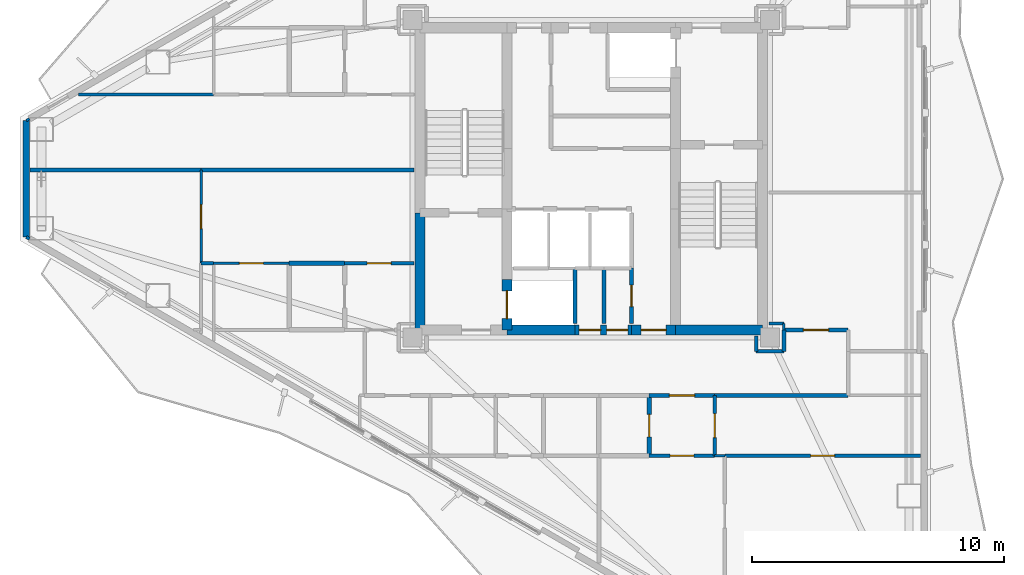
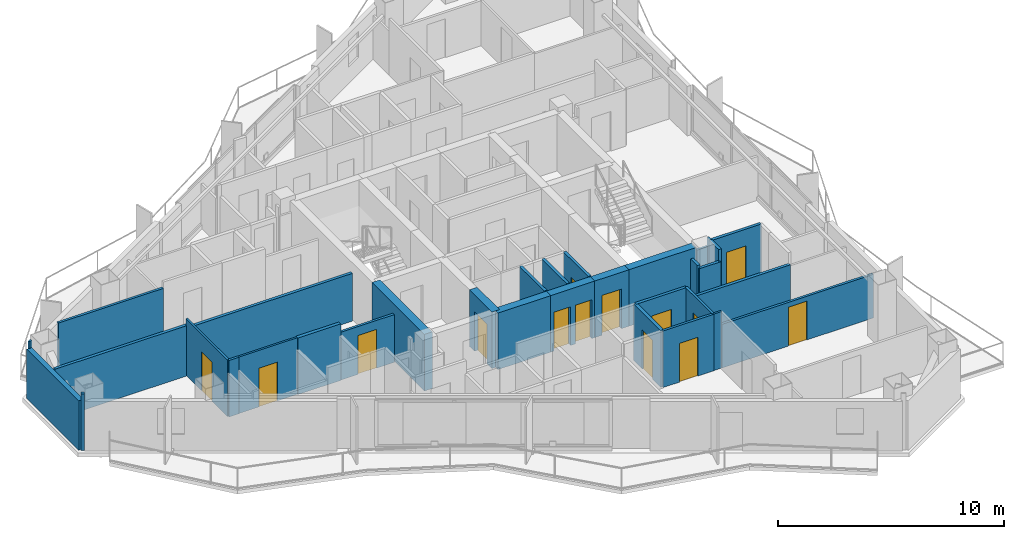
# One storey, part 13 of 19: 33 walls, 14 doors, 14 openings.
"""IFC4 building model written with IfcOpenShell, lengths in metres."""

from ifc_helpers import new_model, si_unit, direction, frame, frame_2d, origin, place, context, subcontext, project, spatial, rectangle, extrude, material, layer, layer_set, type_object, element, fill, save


model = new_model("IFC4")

# Units and contexts
model_context = context("Model", 3, precision=1e-05, world=origin(), true_north=direction((0.0, 1.0)))
body_context = subcontext(model_context, "Body", "Model", "MODEL_VIEW")
ifc_project = project(units=[si_unit("LENGTHUNIT", "METRE"), si_unit("AREAUNIT", "SQUARE_METRE"), si_unit("VOLUMEUNIT", "CUBIC_METRE"), si_unit("PLANEANGLEUNIT", "RADIAN"), si_unit("MASSUNIT", "GRAM", prefix="KILO")], contexts=[model_context])

# Site, building, storey
site_placement = place(None, origin())
site = spatial("IfcSite", under=ifc_project, at=site_placement, CompositionType="ELEMENT")
building_placement = place(site_placement, origin())
building = spatial("IfcBuilding", under=site, at=building_placement, Name="Mersakhor Tower and Convention Hall", CompositionType="ELEMENT")
storey_placement = place(building_placement, frame((0.0, 0.0, 141.0)))
storey = spatial("IfcBuildingStorey", under=building, at=storey_placement, Name="L39", CompositionType="ELEMENT", Elevation=141.0)

# Wall
ifc_material_1 = material(Name="Precast concrete C40/50", Category="concrete")
ifc_layer_1 = layer(ifc_material_1, 0.25)
ifc_layer_set_1 = layer_set([ifc_layer_1], Name="Precast concrete C40/50")
wall_type_1 = type_object("IfcWallType", Name="WL-EXT-250", PredefinedType="SOLIDWALL", material=ifc_layer_set_1)
wall_1_placement = place(storey_placement, frame((6.560302734375, 24.44140625, 0.0), z_axis=(0.0, 0.0, 1.0), x_axis=(0.0, 1.0, 0.0)))
element("IfcWall", 1, at=wall_1_placement, inside=storey, type_object=wall_type_1, Name="L39 Chamfer Braced Spandrel Wall C3", PredefinedType="SOLIDWALL", context=body_context, shape_type="SweptSolid", body=[
    extrude(rectangle(XDim=4.6171875, YDim=0.25, at=frame_2d((2.30859375, 0.0))), origin(), (0.0, 0.0, 1.0), 2.679931640625),
])

# Wall, opening, door
ifc_material_2 = material(Name="Moisture-resistant acoustic drywall studwork", Category="other")
ifc_layer_2 = layer(ifc_material_2, 0.175048828125)
ifc_layer_set_2 = layer_set([ifc_layer_2], Name="Moisture-resistant acoustic drywall studwork")
wall_type_2 = type_object("IfcWallType", Name="WL-PLM-175", PredefinedType="PLUMBINGWALL", material=ifc_layer_set_2)
wall_2_placement = place(storey_placement, frame((31.300048828125, 15.75, 0.0), z_axis=(0.0, 0.0, 1.0), x_axis=(0.0, 1.0, 0.0)))
wall_2 = element("IfcWall", 2, at=wall_2_placement, inside=storey, type_object=wall_type_2, Name="L39 Interior Partition Wall P-056", PredefinedType="PLUMBINGWALL", context=body_context, shape_type="SweptSolid", body=[
    extrude(rectangle(XDim=2.39990234375, YDim=0.175048828125, at=frame_2d((1.199951171875, 0.0))), origin(), (0.0, 0.0, 1.0), 3.06005859375),
])
opening_1_placement = place(wall_2_placement, frame((0.75, 0.0, 0.0)))
opening_1 = element("IfcOpeningElement", 3, at=opening_1_placement, cuts=wall_2, Name="Opening WD-01", PredefinedType="OPENING", context=body_context, shape_type="SweptSolid", body=[
    extrude(rectangle(XDim=0.89990234375, YDim=2.10009765625, at=frame_2d((0.449951171875, 1.050048828125))), frame((0.0, 0.097412109375, 0.0), z_axis=(0.0, -1.0, 0.0), x_axis=(1.0, 0.0, 0.0)), (0.0, 0.0, 1.0), 0.195068359375),
])
ifc_material_3 = material(Name="Solid-core hardwood leaf in painted steel frame", Category="steel")
door_type_1 = type_object("IfcDoorType", Name="DR-INT-WET-090x210", OperationType="NOTDEFINED", PredefinedType="DOOR", material=ifc_material_3)
door_1_placement = place(opening_1_placement, origin())
door_1 = element("IfcDoor", 4, at=door_1_placement, inside=storey, type_object=door_type_1, Name="L39 L39 Flat S4 Apartment Hall to L39 Flat S4 Bathroom Door", OperationType="SINGLE_SWING_LEFT", OverallHeight=2.10009765625, OverallWidth=0.89990234375, PredefinedType="DOOR", context=body_context, shape_type="SweptSolid", body=[
    extrude(rectangle(XDim=0.89990234375, YDim=2.10009765625, at=frame_2d((0.449951171875, 1.050048828125))), frame((0.0, 0.02490234375, 0.0), z_axis=(0.0, -1.0, 0.0), x_axis=(1.0, 0.0, 0.0)), (0.0, 0.0, 1.0), 0.050048828125),
])
fill(opening_1, door_1)

# Walls
wall_3_placement = place(storey_placement, frame((17.0, 23.39990234375, 0.0), z_axis=(0.0, 0.0, 1.0), x_axis=(1.0, 0.0, 0.0)))
element("IfcWall", 5, at=wall_3_placement, inside=storey, type_object=wall_type_2, Name="L39 Interior Partition Wall P-091", PredefinedType="PLUMBINGWALL", context=body_context, shape_type="SweptSolid", body=[
    extrude(rectangle(XDim=2.199951171875, YDim=0.175048828125, at=frame_2d((1.10009765625, 0.0))), origin(), (0.0, 0.0, 1.0), 3.06005859375),
])
ifc_material_4 = material(Name="Lightweight gypsum partition", Category="other")
ifc_layer_3 = layer(ifc_material_4, 0.10009765625)
ifc_layer_set_3 = layer_set([ifc_layer_3], Name="Lightweight gypsum partition")
wall_type_3 = type_object("IfcWallType", Name="WL-PRT-100", PredefinedType="PARTITIONING", material=ifc_layer_set_3)
wall_4_placement = place(storey_placement, frame((34.300048828125, 15.75, 0.0), z_axis=(0.0, 0.0, 1.0), x_axis=(-1.0, 0.0, 0.0)))
element("IfcWall", 6, at=wall_4_placement, inside=storey, type_object=wall_type_3, Name="L39 Interior Partition Wall P-084", PredefinedType="PARTITIONING", context=body_context, shape_type="SweptSolid", body=[
    extrude(rectangle(XDim=0.400146484375, YDim=0.10009765625, at=frame_2d((0.2001953125, 0.0))), origin(), (0.0, 0.0, 1.0), 3.06005859375),
])

# Wall, opening, door
wall_5_placement = place(storey_placement, frame((14.0, 23.39990234375, 0.0), z_axis=(0.0, 0.0, 1.0), x_axis=(1.0, 0.0, 0.0)))
wall_5 = element("IfcWall", 7, at=wall_5_placement, inside=storey, type_object=wall_type_3, Name="L39 Interior Partition Wall P-094", PredefinedType="PARTITIONING", context=body_context, shape_type="SweptSolid", body=[
    extrude(rectangle(XDim=3.0, YDim=0.10009765625, at=frame_2d((1.5, 0.0))), origin(), (0.0, 0.0, 1.0), 3.06005859375),
])
opening_2_placement = place(wall_5_placement, frame((1.02490234375, 0.0, 0.0)))
opening_2 = element("IfcOpeningElement", 8, at=opening_2_placement, cuts=wall_5, Name="Opening RD-01", PredefinedType="OPENING", context=body_context, shape_type="SweptSolid", body=[
    extrude(rectangle(XDim=0.949951171875, YDim=2.10009765625, at=frame_2d((0.47509765625, 1.050048828125))), frame((0.0, 0.06005859375, 0.0), z_axis=(0.0, -1.0, 0.0), x_axis=(1.0, 0.0, 0.0)), (0.0, 0.0, 1.0), 0.1201171875),
])
ifc_material_5 = material(Name="Solid-core hardwood leaf in painted steel frame", Category="steel")
door_type_2 = type_object("IfcDoorType", Name="DR-INT-RM-095x210", OperationType="NOTDEFINED", PredefinedType="DOOR", material=ifc_material_5)
door_2_placement = place(opening_2_placement, origin())
door_2 = element("IfcDoor", 9, at=door_2_placement, inside=storey, type_object=door_type_2, Name="L39 L39 Flat W6 Kitchen to L39 Flat W6 Living and Dining Room Door", OperationType="SINGLE_SWING_RIGHT", OverallHeight=2.10009765625, OverallWidth=0.949951171875, PredefinedType="DOOR", context=body_context, shape_type="SweptSolid", body=[
    extrude(rectangle(XDim=0.949951171875, YDim=2.10009765625, at=frame_2d((0.47509765625, 1.050048828125))), frame((0.0, 0.02490234375, 0.0), z_axis=(0.0, -1.0, 0.0), x_axis=(1.0, 0.0, 0.0)), (0.0, 0.0, 1.0), 0.050048828125),
])
fill(opening_2, door_2)

# Walls
wall_6_placement = place(storey_placement, frame((36.64990234375, 20.75, 0.0), z_axis=(0.0, 0.0, 1.0), x_axis=(0.0, 1.0, 0.0)))
element("IfcWall", 10, at=wall_6_placement, inside=storey, type_object=wall_type_3, Name="L39 Interior Partition Wall P-104", PredefinedType="PARTITIONING", context=body_context, shape_type="SweptSolid", body=[
    extrude(rectangle(XDim=0.25, YDim=0.10009765625, at=frame_2d((0.125, 0.0))), origin(), (0.0, 0.0, 1.0), 3.06005859375),
])
wall_7_placement = place(storey_placement, frame((6.56005859375, 29.05908203125, 0.0), z_axis=(0.0, 0.0, 1.0), x_axis=(0.866131372301, 0.499816412211, 0.0)))
element("IfcWall", 11, at=wall_7_placement, inside=storey, type_object=wall_type_3, Name="L39 Interior Partition Wall P-134", PredefinedType="PARTITIONING", context=body_context, shape_type="SweptSolid", body=[
    extrude(rectangle(XDim=0.14990234375, YDim=0.10009765625, at=frame_2d((0.074951171875, 0.0))), origin(), (0.0, 0.0, 1.0), 3.06005859375),
])

# Wall, opening, door
wall_8_placement = place(storey_placement, frame((13.5, 23.39990234375, 0.0), z_axis=(0.0, 0.0, 1.0), x_axis=(0.0, 1.0, 0.0)))
wall_8 = element("IfcWall", 12, at=wall_8_placement, inside=storey, type_object=wall_type_3, Name="L39 Interior Partition Wall P-136", PredefinedType="PARTITIONING", context=body_context, shape_type="SweptSolid", body=[
    extrude(rectangle(XDim=3.7001953125, YDim=0.10009765625, at=frame_2d((1.85009765625, 0.0))), origin(), (0.0, 0.0, 1.0), 3.06005859375),
])
opening_3_placement = place(wall_8_placement, frame((1.375, 0.0, 0.0)))
opening_3 = element("IfcOpeningElement", 13, at=opening_3_placement, cuts=wall_8, Name="Opening RD-01", PredefinedType="OPENING", context=body_context, shape_type="SweptSolid", body=[
    extrude(rectangle(XDim=0.949951171875, YDim=2.10009765625, at=frame_2d((0.47509765625, 1.050048828125))), frame((0.0, 0.06005859375, 0.0), z_axis=(0.0, -1.0, 0.0), x_axis=(1.0, 0.0, 0.0)), (0.0, 0.0, 1.0), 0.1201171875),
])
door_3_placement = place(opening_3_placement, origin())
door_3 = element("IfcDoor", 14, at=door_3_placement, inside=storey, type_object=door_type_2, Name="L39 L39 Flat W6 Living and Dining Room to L39 Flat W6 Bedroom 1 Door", OperationType="SINGLE_SWING_RIGHT", OverallHeight=2.10009765625, OverallWidth=0.949951171875, PredefinedType="DOOR", context=body_context, shape_type="SweptSolid", body=[
    extrude(rectangle(XDim=0.949951171875, YDim=2.10009765625, at=frame_2d((0.47509765625, 1.050048828125))), frame((0.0, 0.02490234375, 0.0), z_axis=(0.0, -1.0, 0.0), x_axis=(1.0, 0.0, 0.0)), (0.0, 0.0, 1.0), 0.050048828125),
])
fill(opening_3, door_3)

ifc_material_6 = material(Name="Gypsum board acoustic partition", Category="other")
ifc_layer_4 = layer(ifc_material_6, 0.125)
ifc_layer_set_4 = layer_set([ifc_layer_4], Name="Gypsum board acoustic partition")
wall_type_4 = type_object("IfcWallType", Name="WL-PRT-125", PredefinedType="PARTITIONING", material=ifc_layer_set_4)
wall_9_placement = place(storey_placement, frame((33.89990234375, 15.75, 0.0), z_axis=(0.0, 0.0, 1.0), x_axis=(-1.0, 0.0, 0.0)))
wall_9 = element("IfcWall", 15, at=wall_9_placement, inside=storey, type_object=wall_type_4, Name="L39 Interior Partition Wall P-055", PredefinedType="PARTITIONING", context=body_context, shape_type="SweptSolid", body=[
    extrude(rectangle(XDim=2.599853515625, YDim=0.125, at=frame_2d((1.2998046875, 0.0))), origin(), (0.0, 0.0, 1.0), 3.06005859375),
])
opening_4_placement = place(wall_9_placement, frame((0.824951171875, 0.0, 0.0)))
opening_4 = element("IfcOpeningElement", 16, at=opening_4_placement, cuts=wall_9, Name="Opening RD-01", PredefinedType="OPENING", context=body_context, shape_type="SweptSolid", body=[
    extrude(rectangle(XDim=0.949951171875, YDim=2.10009765625, at=frame_2d((0.47509765625, 1.050048828125))), frame((0.0, 0.072509765625, 0.0), z_axis=(0.0, -1.0, 0.0), x_axis=(1.0, 0.0, 0.0)), (0.0, 0.0, 1.0), 0.14501953125),
])
door_4_placement = place(opening_4_placement, origin())
door_4 = element("IfcDoor", 17, at=door_4_placement, inside=storey, type_object=door_type_2, Name="L39 L39 Flat S4 Apartment Hall to L39 Flat S4 Living and Dining Room Door", OperationType="SINGLE_SWING_LEFT", OverallHeight=2.10009765625, OverallWidth=0.949951171875, PredefinedType="DOOR", context=body_context, shape_type="SweptSolid", body=[
    extrude(rectangle(XDim=0.949951171875, YDim=2.10009765625, at=frame_2d((0.47509765625, 1.050048828125))), frame((0.0, 0.02490234375, 0.0), z_axis=(0.0, -1.0, 0.0), x_axis=(1.0, 0.0, 0.0)), (0.0, 0.0, 1.0), 0.050048828125),
])
fill(opening_4, door_4)

wall_10_placement = place(storey_placement, frame((33.89990234375, 18.14990234375, 0.0), z_axis=(0.0, 0.0, 1.0), x_axis=(0.0, -1.0, 0.0)))
wall_10 = element("IfcWall", 18, at=wall_10_placement, inside=storey, type_object=wall_type_4, Name="L39 Interior Partition Wall P-057", PredefinedType="PARTITIONING", context=body_context, shape_type="SweptSolid", body=[
    extrude(rectangle(XDim=2.39990234375, YDim=0.125, at=frame_2d((1.199951171875, 0.0))), origin(), (0.0, 0.0, 1.0), 3.06005859375),
])
opening_5_placement = place(wall_10_placement, frame((0.72509765625, 0.0, 0.0)))
opening_5 = element("IfcOpeningElement", 19, at=opening_5_placement, cuts=wall_10, Name="Opening RD-01", PredefinedType="OPENING", context=body_context, shape_type="SweptSolid", body=[
    extrude(rectangle(XDim=0.949951171875, YDim=2.10009765625, at=frame_2d((0.47509765625, 1.050048828125))), frame((0.0, 0.072509765625, 0.0), z_axis=(0.0, -1.0, 0.0), x_axis=(1.0, 0.0, 0.0)), (0.0, 0.0, 1.0), 0.14501953125),
])
door_5_placement = place(opening_5_placement, origin())
door_5 = element("IfcDoor", 20, at=door_5_placement, inside=storey, type_object=door_type_2, Name="L39 L39 Flat S4 Apartment Hall to L39 Flat S4 Kitchen Door", OperationType="SINGLE_SWING_RIGHT", OverallHeight=2.10009765625, OverallWidth=0.949951171875, PredefinedType="DOOR", context=body_context, shape_type="SweptSolid", body=[
    extrude(rectangle(XDim=0.949951171875, YDim=2.10009765625, at=frame_2d((0.47509765625, 1.050048828125))), frame((0.0, 0.02490234375, 0.0), z_axis=(0.0, -1.0, 0.0), x_axis=(1.0, 0.0, 0.0)), (0.0, 0.0, 1.0), 0.050048828125),
])
fill(opening_5, door_5)

wall_11_placement = place(storey_placement, frame((19.199951171875, 23.39990234375, 0.0), z_axis=(0.0, 0.0, 1.0), x_axis=(1.0, 0.0, 0.0)))
wall_11 = element("IfcWall", 21, at=wall_11_placement, inside=storey, type_object=wall_type_4, Name="L39 Interior Partition Wall P-065", PredefinedType="PARTITIONING", context=body_context, shape_type="SweptSolid", body=[
    extrude(rectangle(XDim=2.75, YDim=0.125, at=frame_2d((1.375, 0.0))), origin(), (0.0, 0.0, 1.0), 2.5849609375),
])
opening_6_placement = place(wall_11_placement, frame((0.89990234375, 0.0, 0.0)))
opening_6 = element("IfcOpeningElement", 22, at=opening_6_placement, cuts=wall_11, Name="Opening RD-01", PredefinedType="OPENING", context=body_context, shape_type="SweptSolid", body=[
    extrude(rectangle(XDim=0.949951171875, YDim=2.10009765625, at=frame_2d((0.47509765625, 1.050048828125))), frame((0.0, 0.072509765625, 0.0), z_axis=(0.0, -1.0, 0.0), x_axis=(1.0, 0.0, 0.0)), (0.0, 0.0, 1.0), 0.14501953125),
])
door_6_placement = place(opening_6_placement, origin())
door_6 = element("IfcDoor", 23, at=door_6_placement, inside=storey, type_object=door_type_2, Name="L39 L39 Flat W6 Apartment Hall to L39 Flat W6 Living and Dining Room Door", OperationType="SINGLE_SWING_LEFT", OverallHeight=2.10009765625, OverallWidth=0.949951171875, PredefinedType="DOOR", context=body_context, shape_type="SweptSolid", body=[
    extrude(rectangle(XDim=0.949951171875, YDim=2.10009765625, at=frame_2d((0.47509765625, 1.050048828125))), frame((0.0, 0.02490234375, 0.0), z_axis=(0.0, -1.0, 0.0), x_axis=(1.0, 0.0, 0.0)), (0.0, 0.0, 1.0), 0.050048828125),
])
fill(opening_6, door_6)

wall_12_placement = place(storey_placement, frame((42.0703125, 15.75, 0.0), z_axis=(0.0, 0.0, 1.0), x_axis=(-1.0, 0.0, 0.0)))
wall_12 = element("IfcWall", 24, at=wall_12_placement, inside=storey, type_object=wall_type_4, Name="L39 Interior Partition Wall P-083", PredefinedType="PARTITIONING", context=body_context, shape_type="SweptSolid", body=[
    extrude(rectangle(XDim=7.770263671875, YDim=0.125, at=frame_2d((3.88525390625, 0.0))), origin(), (0.0, 0.0, 1.0), 2.364990234375),
])
opening_7_placement = place(wall_12_placement, frame((3.41015625, 0.0, 0.0)))
opening_7 = element("IfcOpeningElement", 25, at=opening_7_placement, cuts=wall_12, Name="Opening RD-01", PredefinedType="OPENING", context=body_context, shape_type="SweptSolid", body=[
    extrude(rectangle(XDim=0.949951171875, YDim=2.10009765625, at=frame_2d((0.47509765625, 1.050048828125))), frame((0.0, 0.072509765625, 0.0), z_axis=(0.0, -1.0, 0.0), x_axis=(1.0, 0.0, 0.0)), (0.0, 0.0, 1.0), 0.14501953125),
])
door_7_placement = place(opening_7_placement, origin())
door_7 = element("IfcDoor", 26, at=door_7_placement, inside=storey, type_object=door_type_2, Name="L39 L39 Flat S4 Kitchen to L39 Flat S4 Dining Room Door", OperationType="SINGLE_SWING_RIGHT", OverallHeight=2.10009765625, OverallWidth=0.949951171875, PredefinedType="DOOR", context=body_context, shape_type="SweptSolid", body=[
    extrude(rectangle(XDim=0.949951171875, YDim=2.10009765625, at=frame_2d((0.47509765625, 1.050048828125))), frame((0.0, 0.02490234375, 0.0), z_axis=(0.0, -1.0, 0.0), x_axis=(1.0, 0.0, 0.0)), (0.0, 0.0, 1.0), 0.050048828125),
])
fill(opening_7, door_7)

# Walls
wall_13_placement = place(storey_placement, frame((36.64990234375, 21.0, 0.0), z_axis=(0.0, 0.0, 1.0), x_axis=(-1.0, 0.0, 0.0)))
element("IfcWall", 27, at=wall_13_placement, inside=storey, type_object=wall_type_4, Name="L39 Interior Partition Wall P-105", PredefinedType="PARTITIONING", context=body_context, shape_type="SweptSolid", body=[
    extrude(rectangle(XDim=0.599853515625, YDim=0.125, at=frame_2d((0.2998046875, 0.0))), origin(), (0.0, 0.0, 1.0), 2.5849609375),
])
wall_14_placement = place(storey_placement, frame((8.634765625, 30.10009765625, 0.0), z_axis=(0.0, 0.0, 1.0), x_axis=(1.0, 0.0, 0.0)))
element("IfcWall", 28, at=wall_14_placement, inside=storey, type_object=wall_type_4, Name="L39 Interior Partition Wall P-131", PredefinedType="PARTITIONING", context=body_context, shape_type="SweptSolid", body=[
    extrude(rectangle(XDim=5.365234375, YDim=0.125, at=frame_2d((2.6826171875, 0.0))), origin(), (0.0, 0.0, 1.0), 2.724609375),
])
wall_15_placement = place(storey_placement, frame((14.0, 23.39990234375, 0.0), z_axis=(0.0, 0.0, 1.0), x_axis=(-1.0, 0.0, 0.0)))
element("IfcWall", 29, at=wall_15_placement, inside=storey, type_object=wall_type_4, Name="L39 Interior Partition Wall P-135", PredefinedType="PARTITIONING", context=body_context, shape_type="SweptSolid", body=[
    extrude(rectangle(XDim=0.5, YDim=0.125, at=frame_2d((0.25, 0.0))), origin(), (0.0, 0.0, 1.0), 3.06005859375),
])
wall_16_placement = place(storey_placement, frame((6.68994140625, 24.365966796875, 0.0), z_axis=(0.0, 0.0, 1.0), x_axis=(-0.866131372301, 0.499816412211, 0.0)))
element("IfcWall", 30, at=wall_16_placement, inside=storey, type_object=wall_type_4, Name="L39 Interior Partition Wall P-139", PredefinedType="PARTITIONING", context=body_context, shape_type="SweptSolid", body=[
    extrude(rectangle(XDim=0.14990234375, YDim=0.125, at=frame_2d((0.074951171875, 0.0))), origin(), (0.0, 0.0, 1.0), 3.06005859375),
])
ifc_material_7 = material(Name="Fire-rated gypsum board stud partition", Category="other")
ifc_layer_5 = layer(ifc_material_7, 0.14990234375)
ifc_layer_set_5 = layer_set([ifc_layer_5], Name="Fire-rated gypsum board stud partition")
wall_type_5 = type_object("IfcWallType", Name="WL-PRT-150", PredefinedType="PARTITIONING", material=ifc_layer_set_5)
wall_17_placement = place(storey_placement, frame((28.35009765625, 23.199951171875, 0.0), z_axis=(0.0, 0.0, 1.0), x_axis=(0.0, -1.0, 0.0)))
element("IfcWall", 31, at=wall_17_placement, inside=storey, type_object=wall_type_5, Name="L39 Interior Partition Wall P-003", PredefinedType="PARTITIONING", context=body_context, shape_type="SweptSolid", body=[
    extrude(rectangle(XDim=2.199951171875, YDim=0.14990234375, at=frame_2d((1.10009765625, 0.0))), origin(), (0.0, 0.0, 1.0), 3.06005859375),
])

# Wall, opening, door
wall_18_placement = place(storey_placement, frame((30.60009765625, 21.0, 0.0), z_axis=(0.0, 0.0, 1.0), x_axis=(0.0, 1.0, 0.0)))
wall_18 = element("IfcWall", 32, at=wall_18_placement, inside=storey, type_object=wall_type_5, Name="L39 Interior Partition Wall P-012", PredefinedType="PARTITIONING", context=body_context, shape_type="SweptSolid", body=[
    extrude(rectangle(XDim=2.199951171875, YDim=0.14990234375, at=frame_2d((1.10009765625, 0.0))), origin(), (0.0, 0.0, 1.0), 3.06005859375),
])
opening_8_placement = place(wall_18_placement, frame((0.675048828125, 0.0, 0.0)))
opening_8 = element("IfcOpeningElement", 33, at=opening_8_placement, cuts=wall_18, Name="Opening SVD-01", PredefinedType="OPENING", context=body_context, shape_type="SweptSolid", body=[
    extrude(rectangle(XDim=0.85009765625, YDim=2.10009765625, at=frame_2d((0.425048828125, 1.050048828125))), frame((0.0, 0.0849609375, 0.0), z_axis=(0.0, -1.0, 0.0), x_axis=(1.0, 0.0, 0.0)), (0.0, 0.0, 1.0), 0.169921875),
])
ifc_material_8 = material(Name="Fire-rated hardwood leaf and painted steel frame", Category="steel")
door_type_3 = type_object("IfcDoorType", Name="DR-INT-SVC-085x210", OperationType="NOTDEFINED", PredefinedType="DOOR", material=ifc_material_8)
door_8_placement = place(opening_8_placement, origin())
door_8 = element("IfcDoor", 34, at=door_8_placement, inside=storey, type_object=door_type_3, Name="L39 Central Passenger Lift Lobby to Cleaner Store Room Door", OperationType="SINGLE_SWING_RIGHT", OverallHeight=2.10009765625, OverallWidth=0.85009765625, PredefinedType="DOOR", context=body_context, shape_type="SweptSolid", body=[
    extrude(rectangle(XDim=0.85009765625, YDim=2.10009765625, at=frame_2d((0.425048828125, 1.050048828125))), frame((0.0, 0.02490234375, 0.0), z_axis=(0.0, -1.0, 0.0), x_axis=(1.0, 0.0, 0.0)), (0.0, 0.0, 1.0), 0.050048828125),
])
fill(opening_8, door_8)

# Walls
wall_19_placement = place(storey_placement, frame((35.550048828125, 20.5, 0.0), z_axis=(0.0, 0.0, 1.0), x_axis=(0.0, -1.0, 0.0)))
element("IfcWall", 35, at=wall_19_placement, inside=storey, type_object=wall_type_5, Name="L39 Interior Partition Wall P-035", PredefinedType="PARTITIONING", context=body_context, shape_type="SweptSolid", body=[
    extrude(rectangle(XDim=0.60009765625, YDim=0.14990234375, at=frame_2d((0.300048828125, 0.0))), origin(), (0.0, 0.0, 1.0), 2.5849609375),
])
wall_20_placement = place(storey_placement, frame((35.550048828125, 19.89990234375, 0.0), z_axis=(0.0, 0.0, 1.0), x_axis=(1.0, 0.0, 0.0)))
element("IfcWall", 36, at=wall_20_placement, inside=storey, type_object=wall_type_5, Name="L39 Interior Partition Wall P-036", PredefinedType="PARTITIONING", context=body_context, shape_type="SweptSolid", body=[
    extrude(rectangle(XDim=1.099853515625, YDim=0.14990234375, at=frame_2d((0.5498046875, 0.0))), origin(), (0.0, 0.0, 1.0), 2.432861328125),
])
wall_21_placement = place(storey_placement, frame((36.64990234375, 19.89990234375, 0.0), z_axis=(0.0, 0.0, 1.0), x_axis=(0.0, 1.0, 0.0)))
element("IfcWall", 37, at=wall_21_placement, inside=storey, type_object=wall_type_5, Name="L39 Interior Partition Wall P-037", PredefinedType="PARTITIONING", context=body_context, shape_type="SweptSolid", body=[
    extrude(rectangle(XDim=0.85009765625, YDim=0.14990234375, at=frame_2d((0.425048828125, 0.0))), origin(), (0.0, 0.0, 1.0), 3.06005859375),
])

# Wall, opening, door
wall_22_placement = place(storey_placement, frame((36.64990234375, 20.75, 0.0), z_axis=(0.0, 0.0, 1.0), x_axis=(1.0, 0.0, 0.0)))
wall_22 = element("IfcWall", 38, at=wall_22_placement, inside=storey, type_object=wall_type_5, Name="L39 Interior Partition Wall P-038", PredefinedType="PARTITIONING", context=body_context, shape_type="SweptSolid", body=[
    extrude(rectangle(XDim=2.550048828125, YDim=0.14990234375, at=frame_2d((1.27490234375, 0.0))), origin(), (0.0, 0.0, 1.0), 3.06005859375),
])
opening_9_placement = place(wall_22_placement, frame((0.77490234375, 0.0, 0.0)))
opening_9 = element("IfcOpeningElement", 39, at=opening_9_placement, cuts=wall_22, Name="Opening FD-01", PredefinedType="OPENING", context=body_context, shape_type="SweptSolid", body=[
    extrude(rectangle(XDim=1.0, YDim=2.14990234375, at=frame_2d((0.5, 1.074951171875))), frame((0.0, 0.0849609375, 0.0), z_axis=(0.0, -1.0, 0.0), x_axis=(1.0, 0.0, 0.0)), (0.0, 0.0, 1.0), 0.169921875),
])
ifc_material_9 = material(Name="Fire-rated hardwood leaf and painted steel frame", Category="steel")
door_type_4 = type_object("IfcDoorType", Name="DR-INT-FLT-100x215", OperationType="NOTDEFINED", PredefinedType="DOOR", material=ifc_material_9)
door_9_placement = place(opening_9_placement, origin())
door_9 = element("IfcDoor", 40, at=door_9_placement, inside=storey, type_object=door_type_4, Name="L39 Residential South Gallery Corridor to L39 East Wing Shared Tea Pantry Door", OperationType="SINGLE_SWING_LEFT", OverallHeight=2.14990234375, OverallWidth=1.0, PredefinedType="DOOR", context=body_context, shape_type="SweptSolid", body=[
    extrude(rectangle(XDim=1.0, YDim=2.14990234375, at=frame_2d((0.5, 1.074951171875))), frame((0.0, 0.02490234375, 0.0), z_axis=(0.0, -1.0, 0.0), x_axis=(1.0, 0.0, 0.0)), (0.0, 0.0, 1.0), 0.050048828125),
])
fill(opening_9, door_9)

# Wall
wall_23_placement = place(storey_placement, frame((39.199951171875, 18.14990234375, 0.0), z_axis=(0.0, 0.0, 1.0), x_axis=(-1.0, 0.0, 0.0)))
element("IfcWall", 41, at=wall_23_placement, inside=storey, type_object=wall_type_5, Name="L39 Interior Partition Wall P-041", PredefinedType="PARTITIONING", context=body_context, shape_type="SweptSolid", body=[
    extrude(rectangle(XDim=5.300048828125, YDim=0.14990234375, at=frame_2d((2.64990234375, 0.0))), origin(), (0.0, 0.0, 1.0), 2.432861328125),
])

# Wall, opening, door
wall_24_placement = place(storey_placement, frame((33.89990234375, 18.14990234375, 0.0), z_axis=(0.0, 0.0, 1.0), x_axis=(-1.0, 0.0, 0.0)))
wall_24 = element("IfcWall", 42, at=wall_24_placement, inside=storey, type_object=wall_type_5, Name="L39 Interior Partition Wall P-042", PredefinedType="PARTITIONING", context=body_context, shape_type="SweptSolid", body=[
    extrude(rectangle(XDim=2.599853515625, YDim=0.14990234375, at=frame_2d((1.2998046875, 0.0))), origin(), (0.0, 0.0, 1.0), 3.06005859375),
])
opening_10_placement = place(wall_24_placement, frame((0.800048828125, 0.0, 0.0)))
opening_10 = element("IfcOpeningElement", 43, at=opening_10_placement, cuts=wall_24, Name="Opening FD-01", PredefinedType="OPENING", context=body_context, shape_type="SweptSolid", body=[
    extrude(rectangle(XDim=1.0, YDim=2.14990234375, at=frame_2d((0.5, 1.074951171875))), frame((0.0, 0.0849609375, 0.0), z_axis=(0.0, -1.0, 0.0), x_axis=(1.0, 0.0, 0.0)), (0.0, 0.0, 1.0), 0.169921875),
])
door_10_placement = place(opening_10_placement, origin())
door_10 = element("IfcDoor", 44, at=door_10_placement, inside=storey, type_object=door_type_4, Name="L39 Apartment Entrance Door (Residential South Gallery Corridor to L39 Flat S4 Apartment Hall)", OperationType="SINGLE_SWING_RIGHT", OverallHeight=2.14990234375, OverallWidth=1.0, PredefinedType="DOOR", context=body_context, shape_type="SweptSolid", body=[
    extrude(rectangle(XDim=1.0, YDim=2.14990234375, at=frame_2d((0.5, 1.074951171875))), frame((0.0, 0.02490234375, 0.0), z_axis=(0.0, -1.0, 0.0), x_axis=(1.0, 0.0, 0.0)), (0.0, 0.0, 1.0), 0.050048828125),
])
fill(opening_10, door_10)

# Walls
wall_25_placement = place(storey_placement, frame((29.5, 23.199951171875, 0.0), z_axis=(0.0, 0.0, 1.0), x_axis=(0.0, -1.0, 0.0)))
element("IfcWall", 45, at=wall_25_placement, inside=storey, type_object=wall_type_5, Name="L39 Interior Partition Wall P-098", PredefinedType="PARTITIONING", context=body_context, shape_type="SweptSolid", body=[
    extrude(rectangle(XDim=2.199951171875, YDim=0.14990234375, at=frame_2d((1.10009765625, 0.0))), origin(), (0.0, 0.0, 1.0), 3.06005859375),
])
wall_26_placement = place(storey_placement, frame((21.949951171875, 27.10009765625, 0.0), z_axis=(0.0, 0.0, 1.0), x_axis=(-1.0, 0.0, 0.0)))
element("IfcWall", 46, at=wall_26_placement, inside=storey, type_object=wall_type_5, Name="L39 Interior Partition Wall P-132", PredefinedType="PARTITIONING", context=body_context, shape_type="SweptSolid", body=[
    extrude(rectangle(XDim=8.449951171875, YDim=0.14990234375, at=frame_2d((4.22509765625, 0.0))), origin(), (0.0, 0.0, 1.0), 2.5849609375),
])
wall_27_placement = place(storey_placement, frame((13.5, 27.10009765625, 0.0), z_axis=(0.0, 0.0, 1.0), x_axis=(-1.0, 0.0, 0.0)))
element("IfcWall", 47, at=wall_27_placement, inside=storey, type_object=wall_type_5, Name="L39 Interior Partition Wall P-133", PredefinedType="PARTITIONING", context=body_context, shape_type="SweptSolid", body=[
    extrude(rectangle(XDim=6.790771484375, YDim=0.14990234375, at=frame_2d((3.3955078125, 0.0))), origin(), (0.0, 0.0, 1.0), 2.724609375),
])
ifc_material_10 = material(Name="Concrete C60/75", Category="concrete")
ifc_layer_6 = layer(ifc_material_10, 0.39990234375)
ifc_layer_set_6 = layer_set([ifc_layer_6], Name="Concrete C60/75")
wall_type_6 = type_object("IfcWallType", Name="WL-SHR-400", PredefinedType="SHEAR", material=ifc_layer_set_6)
wall_28_placement = place(storey_placement, frame((22.199951171875, 20.75, 0.0), z_axis=(0.0, 0.0, 1.0), x_axis=(0.0, 1.0, 0.0)))
element("IfcWall", 48, at=wall_28_placement, inside=storey, type_object=wall_type_6, Name="L39 Core Wall CW-W1", PredefinedType="SHEAR", context=body_context, shape_type="SweptSolid", body=[
    extrude(rectangle(XDim=4.64990234375, YDim=0.39990234375, at=frame_2d((2.324951171875, 0.0))), origin(), (0.0, 0.0, 1.0), 3.06005859375),
])
wall_29_placement = place(storey_placement, frame((35.800048828125, 20.75, 0.0), z_axis=(0.0, 0.0, 1.0), x_axis=(-1.0, 0.0, 0.0)))
element("IfcWall", 49, at=wall_29_placement, inside=storey, type_object=wall_type_6, Name="L39 Core Wall CW-S1", PredefinedType="SHEAR", context=body_context, shape_type="SweptSolid", body=[
    extrude(rectangle(XDim=3.449951171875, YDim=0.39990234375, at=frame_2d((1.72509765625, 0.0))), origin(), (0.0, 0.0, 1.0), 3.06005859375),
])

# Wall, opening, door
wall_30_placement = place(storey_placement, frame((32.35009765625, 20.75, 0.0), z_axis=(0.0, 0.0, 1.0), x_axis=(-1.0, 0.0, 0.0)))
wall_30 = element("IfcWall", 50, at=wall_30_placement, inside=storey, type_object=wall_type_6, Name="L39 Core Wall CW-S2A", PredefinedType="SHEAR", context=body_context, shape_type="SweptSolid", body=[
    extrude(rectangle(XDim=1.75, YDim=0.39990234375, at=frame_2d((0.875, 0.0))), origin(), (0.0, 0.0, 1.0), 3.06005859375),
])
opening_11_placement = place(wall_30_placement, frame((0.375, 0.0, 0.0)))
opening_11 = element("IfcOpeningElement", 51, at=opening_11_placement, cuts=wall_30, Name="Opening CFD-01", PredefinedType="OPENING", context=body_context, shape_type="SweptSolid", body=[
    extrude(rectangle(XDim=1.0, YDim=2.14990234375, at=frame_2d((0.5, 1.074951171875))), frame((0.0, 0.2099609375, 0.0), z_axis=(0.0, -1.0, 0.0), x_axis=(1.0, 0.0, 0.0)), (0.0, 0.0, 1.0), 0.419921875),
])
ifc_material_11 = material(Name="Fire-rated hardwood leaf and painted steel frame", Category="steel")
door_type_5 = type_object("IfcDoorType", Name="DR-CORE-FD-100x215", OperationType="NOTDEFINED", PredefinedType="DOOR", material=ifc_material_11)
door_11_placement = place(opening_11_placement, origin())
door_11 = element("IfcDoor", 52, at=door_11_placement, inside=storey, type_object=door_type_5, Name="L39 Lift Lobby South Corridor Door", OperationType="SINGLE_SWING_RIGHT", OverallHeight=2.14990234375, OverallWidth=1.0, PredefinedType="DOOR", context=body_context, shape_type="SweptSolid", body=[
    extrude(rectangle(XDim=1.0, YDim=2.14990234375, at=frame_2d((0.5, 1.074951171875))), frame((0.0, 0.02490234375, 0.0), z_axis=(0.0, -1.0, 0.0), x_axis=(1.0, 0.0, 0.0)), (0.0, 0.0, 1.0), 0.050048828125),
])
fill(opening_11, door_11)

# Wall, openings, doors
wall_31_placement = place(storey_placement, frame((30.60009765625, 20.75, 0.0), z_axis=(0.0, 0.0, 1.0), x_axis=(-1.0, 0.0, 0.0)))
wall_31 = element("IfcWall", 53, at=wall_31_placement, inside=storey, type_object=wall_type_6, Name="L39 Core Wall CW-S2B", PredefinedType="SHEAR", context=body_context, shape_type="SweptSolid", body=[
    extrude(rectangle(XDim=2.25, YDim=0.39990234375, at=frame_2d((1.125, 0.0))), origin(), (0.0, 0.0, 1.0), 3.06005859375),
])
opening_12_placement = place(wall_31_placement, frame((1.22998046875, 0.0, 0.0)))
opening_12 = element("IfcOpeningElement", 54, at=opening_12_placement, cuts=wall_31, Name="Opening SVD-01", PredefinedType="OPENING", context=body_context, shape_type="SweptSolid", body=[
    extrude(rectangle(XDim=0.85009765625, YDim=2.10009765625, at=frame_2d((0.425048828125, 1.050048828125))), frame((0.0, 0.2099609375, 0.0), z_axis=(0.0, -1.0, 0.0), x_axis=(1.0, 0.0, 0.0)), (0.0, 0.0, 1.0), 0.419921875),
])
opening_13_placement = place(wall_31_placement, frame((0.14501953125, 0.0, 0.0)))
opening_13 = element("IfcOpeningElement", 55, at=opening_13_placement, cuts=wall_31, Name="Opening SVD-01", PredefinedType="OPENING", context=body_context, shape_type="SweptSolid", body=[
    extrude(rectangle(XDim=0.85009765625, YDim=2.10009765625, at=frame_2d((0.425048828125, 1.050048828125))), frame((0.0, 0.2099609375, 0.0), z_axis=(0.0, -1.0, 0.0), x_axis=(1.0, 0.0, 0.0)), (0.0, 0.0, 1.0), 0.419921875),
])
door_12_placement = place(opening_12_placement, origin())
door_12 = element("IfcDoor", 56, at=door_12_placement, inside=storey, type_object=door_type_3, Name="L39 Residential South Gallery Corridor to Mechanical Valve Plant Room Door", OperationType="SINGLE_SWING_LEFT", OverallHeight=2.10009765625, OverallWidth=0.85009765625, PredefinedType="DOOR", context=body_context, shape_type="SweptSolid", body=[
    extrude(rectangle(XDim=0.85009765625, YDim=2.10009765625, at=frame_2d((0.425048828125, 1.050048828125))), frame((0.0, 0.02490234375, 0.0), z_axis=(0.0, -1.0, 0.0), x_axis=(1.0, 0.0, 0.0)), (0.0, 0.0, 1.0), 0.050048828125),
])
fill(opening_12, door_12)
door_13_placement = place(opening_13_placement, origin())
door_13 = element("IfcDoor", 57, at=door_13_placement, inside=storey, type_object=door_type_3, Name="L39 Residential South Gallery Corridor to Cleaner Store Room Door", OperationType="SINGLE_SWING_RIGHT", OverallHeight=2.10009765625, OverallWidth=0.85009765625, PredefinedType="DOOR", context=body_context, shape_type="SweptSolid", body=[
    extrude(rectangle(XDim=0.85009765625, YDim=2.10009765625, at=frame_2d((0.425048828125, 1.050048828125))), frame((0.0, 0.02490234375, 0.0), z_axis=(0.0, -1.0, 0.0), x_axis=(1.0, 0.0, 0.0)), (0.0, 0.0, 1.0), 0.050048828125),
])
fill(opening_13, door_13)

# Wall
wall_32_placement = place(storey_placement, frame((28.35009765625, 20.75, 0.0), z_axis=(0.0, 0.0, 1.0), x_axis=(-1.0, 0.0, 0.0)))
element("IfcWall", 58, at=wall_32_placement, inside=storey, type_object=wall_type_6, Name="L39 Core Wall CW-S3", PredefinedType="SHEAR", context=body_context, shape_type="SweptSolid", body=[
    extrude(rectangle(XDim=2.7001953125, YDim=0.39990234375, at=frame_2d((1.35009765625, 0.0))), origin(), (0.0, 0.0, 1.0), 3.06005859375),
])

# Wall, opening, door
wall_33_placement = place(storey_placement, frame((25.64990234375, 20.75, 0.0), z_axis=(0.0, 0.0, 1.0), x_axis=(0.0, 1.0, 0.0)))
wall_33 = element("IfcWall", 59, at=wall_33_placement, inside=storey, type_object=wall_type_6, Name="L39 Core Wall CS-W-FFL", PredefinedType="SHEAR", context=body_context, shape_type="SweptSolid", body=[
    extrude(rectangle(XDim=2.0, YDim=0.39990234375, at=frame_2d((1.0, 0.0))), origin(), (0.0, 0.0, 1.0), 3.06005859375),
])
opening_14_placement = place(wall_33_placement, frame((0.449951171875, 0.0, 0.0)))
opening_14 = element("IfcOpeningElement", 60, at=opening_14_placement, cuts=wall_33, Name="Opening LD-FFL1", PredefinedType="OPENING", context=body_context, shape_type="SweptSolid", body=[
    extrude(rectangle(XDim=1.10009765625, YDim=2.14990234375, at=frame_2d((0.550048828125, 1.074951171875))), frame((0.0, 0.2099609375, 0.0), z_axis=(0.0, -1.0, 0.0), x_axis=(1.0, 0.0, 0.0)), (0.0, 0.0, 1.0), 0.419921875),
])
ifc_material_12 = material(Name="Fire-rated brushed stainless steel sliding landing door", Category="steel")
door_type_6 = type_object("IfcDoorType", Name="DR-LIFT-SLD-110x215", OperationType="NOTDEFINED", PredefinedType="DOOR", material=ifc_material_12)
door_14_placement = place(opening_14_placement, origin())
door_14 = element("IfcDoor", 61, at=door_14_placement, inside=storey, type_object=door_type_6, Name="L39 Firefighting Lift Landing Door LD-FFL1", OperationType="SLIDING_TO_LEFT", OverallHeight=2.14990234375, OverallWidth=1.10009765625, PredefinedType="DOOR", context=body_context, shape_type="SweptSolid", body=[
    extrude(rectangle(XDim=1.10009765625, YDim=2.14990234375, at=frame_2d((0.550048828125, 1.074951171875))), frame((0.0, 0.02490234375, 0.0), z_axis=(0.0, -1.0, 0.0), x_axis=(1.0, 0.0, 0.0)), (0.0, 0.0, 1.0), 0.050048828125),
])
fill(opening_14, door_14)

save(model, "model.ifc")
